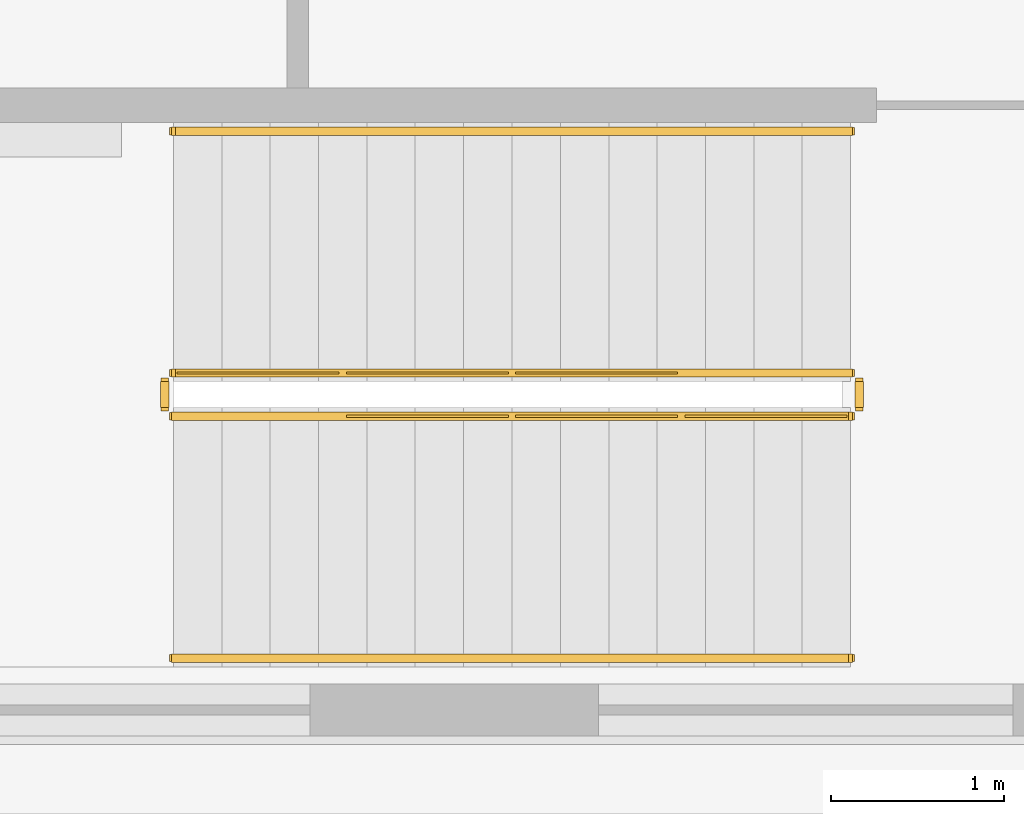
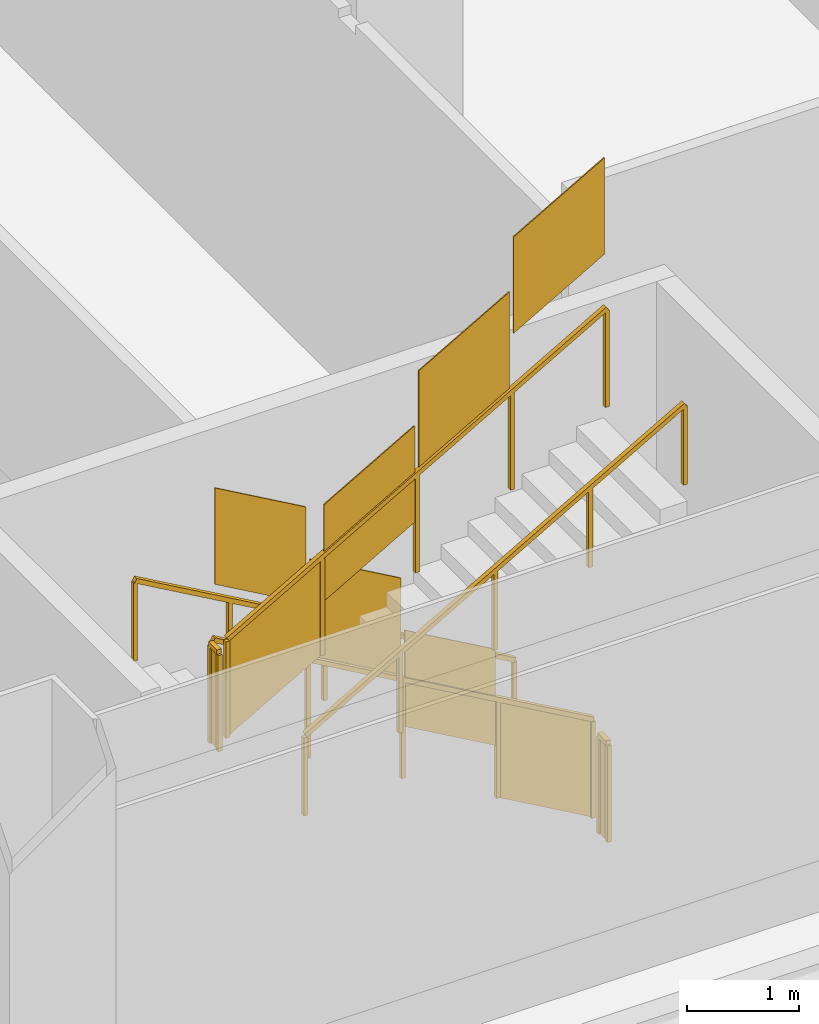
# One storey, part 20 of 25: 6 railings.
"""IFC4 building model written with IfcOpenShell, lengths in metres."""

from ifc_helpers import new_model, si_unit, direction, frame, origin, origin_2d, place, context, subcontext, project, spatial, polyline, rectangle, outline, extrude, material, type_object, element, save


model = new_model("IFC4")

# Units and contexts
model_context = context("Model", 3, precision=1e-05, world=origin(), true_north=direction((0.0, 1.0)))
body_context = subcontext(model_context, "Body", "Model", "MODEL_VIEW")
ifc_project = project(units=[si_unit("LENGTHUNIT", "METRE"), si_unit("AREAUNIT", "SQUARE_METRE"), si_unit("VOLUMEUNIT", "CUBIC_METRE"), si_unit("PLANEANGLEUNIT", "RADIAN"), si_unit("MASSUNIT", "GRAM", prefix="KILO")], contexts=[model_context])

# Site, building, storey
site_placement = place(None, origin())
site = spatial("IfcSite", under=ifc_project, at=site_placement, CompositionType="ELEMENT")
building_placement = place(site_placement, origin())
building = spatial("IfcBuilding", under=site, at=building_placement, Name="Cairn Pilgrim Tower", CompositionType="ELEMENT")
storey_placement = place(building_placement, frame((0.0, 0.0, 30.60009765625)))
storey = spatial("IfcBuildingStorey", under=building, at=storey_placement, Name="L05", CompositionType="ELEMENT", Elevation=30.60009765625)

# Railings
ifc_material = material(Name="Painted steel", Category="steel")
railing_type_1 = type_object("IfcRailingType", Name="PODIUM STAIR GUARD 1100", PredefinedType="GUARDRAIL", material=ifc_material)
railing_1_placement = place(storey_placement, frame((-25.60009765625, -26.25, 0.159912109375)))
element("IfcRailing", 1, at=railing_1_placement, inside=storey, type_object=railing_type_1, Name="L05 ST-HS stair guard 1", PredefinedType="GUARDRAIL", context=body_context, shape_type="SweptSolid", body=[
    extrude(rectangle(XDim=0.048095703125, YDim=0.048095703125, at=origin_2d()), frame((0.0, 0.0, 1.076171875), z_axis=(-0.868239814368, 0.0, 0.496144761885), x_axis=(0.0, -1.0, 0.0)), (0.0, 0.0, 1.0), 4.514892578125),
    extrude(rectangle(XDim=0.0419921875, YDim=0.0419921875, at=origin_2d()), origin(), (0.0, 0.0, 1.0), 1.052001953125),
    extrude(rectangle(XDim=0.0419921875, YDim=0.0419921875, at=origin_2d()), frame((-0.97998046875, 0.0, 0.56005859375)), (0.0, 0.0, 1.0), 1.052001953125),
    extrude(rectangle(XDim=0.0419921875, YDim=0.0419921875, at=origin_2d()), frame((-1.9599609375, 0.0, 1.1201171875)), (0.0, 0.0, 1.0), 1.052001953125),
    extrude(rectangle(XDim=0.0419921875, YDim=0.0419921875, at=origin_2d()), frame((-2.93994140625, 0.0, 1.679931640625)), (0.0, 0.0, 1.0), 1.052001953125),
    extrude(rectangle(XDim=0.0419921875, YDim=0.0419921875, at=origin_2d()), frame((-3.919921875, 0.0, 2.239990234375)), (0.0, 0.0, 1.0), 1.052001953125),
    extrude(outline(polyline([(0.02099609375, 0.011962890625), (0.958984375, 0.548095703125), (0.958984375, 1.60009765625), (0.02099609375, 1.06396484375), (0.02099609375, 0.011962890625)])), frame((0.0, -0.005859375, 0.0), z_axis=(0.0, 1.0, 0.0), x_axis=(-1.0, 0.0, 0.0)), (0.0, 0.0, 1.0), 0.011962890625),
    extrude(outline(polyline([(0.02099609375, 0.572021484375), (0.958984375, 1.10791015625), (0.958984375, 2.159912109375), (0.02099609375, 1.6240234375), (0.02099609375, 0.572021484375)])), frame((-0.97998046875, -0.005859375, 0.56005859375), z_axis=(0.0, 1.0, 0.0), x_axis=(-1.0, 0.0, 0.0)), (0.0, 0.0, 1.0), 0.011962890625),
    extrude(outline(polyline([(0.02099609375, 1.132080078125), (0.958984375, 1.66796875), (0.958984375, 2.719970703125), (0.02099609375, 2.18408203125), (0.02099609375, 1.132080078125)])), frame((-1.9599609375, -0.005859375, 1.1201171875), z_axis=(0.0, 1.0, 0.0), x_axis=(-1.0, 0.0, 0.0)), (0.0, 0.0, 1.0), 0.011962890625),
    extrude(outline(polyline([(0.02099609375, 1.69189453125), (0.958984375, 2.22802734375), (0.958984375, 3.280029296875), (0.02099609375, 2.743896484375), (0.02099609375, 1.69189453125)])), frame((-2.93994140625, -0.005859375, 1.679931640625), z_axis=(0.0, 1.0, 0.0), x_axis=(-1.0, 0.0, 0.0)), (0.0, 0.0, 1.0), 0.011962890625),
])
railing_2_placement = place(storey_placement, frame((-29.570068359375, -26.300048828125, 2.39990234375)))
element("IfcRailing", 2, at=railing_2_placement, inside=storey, type_object=railing_type_1, Name="L05 ST-HS stair guard 2", PredefinedType="GUARDRAIL", context=body_context, shape_type="SweptSolid", body=[
    extrude(rectangle(XDim=0.048095703125, YDim=0.048095703125, at=origin_2d()), frame((0.0, 0.0, 1.076171875), z_axis=(0.0, -1.0, 0.0), x_axis=(1.0, 0.0, 0.0)), (0.0, 0.0, 1.0), 0.14990234375),
    extrude(rectangle(XDim=0.0419921875, YDim=0.0419921875, at=origin_2d()), origin(), (0.0, 0.0, 1.0), 1.052001953125),
    extrude(rectangle(XDim=0.0419921875, YDim=0.0419921875, at=origin_2d()), frame((0.0, -0.14990234375, 0.0)), (0.0, 0.0, 1.0), 1.052001953125),
    extrude(outline(polyline([(0.02099609375, 0.0), (0.12890625, 0.0), (0.12890625, 1.052001953125), (0.02099609375, 1.052001953125), (0.02099609375, 0.0)])), frame((0.005859375, 0.0, 0.0), z_axis=(-1.0, 0.0, 0.0), x_axis=(0.0, -1.0, 0.0)), (0.0, 0.0, 1.0), 0.011962890625),
])
railing_3_placement = place(storey_placement, frame((-29.52001953125, -26.5, 2.559814453125)))
element("IfcRailing", 3, at=railing_3_placement, inside=storey, type_object=railing_type_1, Name="L05 ST-HS stair guard 3", PredefinedType="GUARDRAIL", context=body_context, shape_type="SweptSolid", body=[
    extrude(rectangle(XDim=0.048095703125, YDim=0.048095703125, at=origin_2d()), frame((0.0, 0.0, 1.076171875), z_axis=(0.868239814368, 0.0, 0.496144761885), x_axis=(0.0, 1.0, 0.0)), (0.0, 0.0, 1.0), 4.514892578125),
    extrude(rectangle(XDim=0.0419921875, YDim=0.0419921875, at=origin_2d()), origin(), (0.0, 0.0, 1.0), 1.052001953125),
    extrude(rectangle(XDim=0.0419921875, YDim=0.0419921875, at=origin_2d()), frame((0.97998046875, 0.0, 0.56005859375)), (0.0, 0.0, 1.0), 1.052001953125),
    extrude(rectangle(XDim=0.0419921875, YDim=0.0419921875, at=origin_2d()), frame((1.9599609375, 0.0, 1.1201171875)), (0.0, 0.0, 1.0), 1.052001953125),
    extrude(rectangle(XDim=0.0419921875, YDim=0.0419921875, at=origin_2d()), frame((2.93994140625, 0.0, 1.679931640625)), (0.0, 0.0, 1.0), 1.052001953125),
    extrude(rectangle(XDim=0.0419921875, YDim=0.0419921875, at=origin_2d()), frame((3.919921875, 0.0, 2.239990234375)), (0.0, 0.0, 1.0), 1.052001953125),
    extrude(outline(polyline([(0.02099609375, 0.011962890625), (0.958984375, 0.548095703125), (0.958984375, 1.60009765625), (0.02099609375, 1.06396484375), (0.02099609375, 0.011962890625)])), frame((0.0, 0.005859375, 0.0), z_axis=(0.0, -1.0, 0.0), x_axis=(1.0, 0.0, 0.0)), (0.0, 0.0, 1.0), 0.011962890625),
    extrude(outline(polyline([(0.02099609375, 0.572021484375), (0.958984375, 1.10791015625), (0.958984375, 2.159912109375), (0.02099609375, 1.6240234375), (0.02099609375, 0.572021484375)])), frame((0.97998046875, 0.005859375, 0.56005859375), z_axis=(0.0, -1.0, 0.0), x_axis=(1.0, 0.0, 0.0)), (0.0, 0.0, 1.0), 0.011962890625),
    extrude(outline(polyline([(0.02099609375, 1.132080078125), (0.958984375, 1.66796875), (0.958984375, 2.719970703125), (0.02099609375, 2.18408203125), (0.02099609375, 1.132080078125)])), frame((1.9599609375, 0.005859375, 1.1201171875), z_axis=(0.0, -1.0, 0.0), x_axis=(1.0, 0.0, 0.0)), (0.0, 0.0, 1.0), 0.011962890625),
    extrude(outline(polyline([(0.02099609375, 1.69189453125), (0.958984375, 2.22802734375), (0.958984375, 3.280029296875), (0.02099609375, 2.743896484375), (0.02099609375, 1.69189453125)])), frame((2.93994140625, 0.005859375, 1.679931640625), z_axis=(0.0, -1.0, 0.0), x_axis=(1.0, 0.0, 0.0)), (0.0, 0.0, 1.0), 0.011962890625),
])
railing_4_placement = place(storey_placement, frame((-25.550048828125, -26.300048828125, 0.0)))
element("IfcRailing", 4, at=railing_4_placement, inside=storey, type_object=railing_type_1, Name="L05 ST-HS stair guard 4", PredefinedType="GUARDRAIL", context=body_context, shape_type="SweptSolid", body=[
    extrude(rectangle(XDim=0.048095703125, YDim=0.048095703125, at=origin_2d()), frame((0.0, 0.0, 1.076171875), z_axis=(0.0, -1.0, 0.0), x_axis=(1.0, 0.0, 0.0)), (0.0, 0.0, 1.0), 0.14990234375),
    extrude(rectangle(XDim=0.0419921875, YDim=0.0419921875, at=origin_2d()), origin(), (0.0, 0.0, 1.0), 1.052001953125),
    extrude(rectangle(XDim=0.0419921875, YDim=0.0419921875, at=origin_2d()), frame((0.0, -0.14990234375, 0.0)), (0.0, 0.0, 1.0), 1.052001953125),
    extrude(outline(polyline([(0.02099609375, 0.0), (0.12890625, 0.0), (0.12890625, 1.052001953125), (0.02099609375, 1.052001953125), (0.02099609375, 0.0)])), frame((0.005859375, 0.0, 0.0), z_axis=(-1.0, 0.0, 0.0), x_axis=(0.0, -1.0, 0.0)), (0.0, 0.0, 1.0), 0.011962890625),
])
railing_type_2 = type_object("IfcRailingType", Name="PODIUM STAIR HANDRAIL 900", PredefinedType="HANDRAIL", material=ifc_material)
railing_5_placement = place(storey_placement, frame((-25.60009765625, -24.85009765625, 0.159912109375)))
element("IfcRailing", 5, at=railing_5_placement, inside=storey, type_object=railing_type_2, Name="L05 ST-HS stair handrail 1", PredefinedType="HANDRAIL", context=body_context, shape_type="SweptSolid", body=[
    extrude(rectangle(XDim=0.048095703125, YDim=0.048095703125, at=origin_2d()), frame((0.0, 0.0, 0.8759765625), z_axis=(-0.868239814368, 0.0, 0.496144761885), x_axis=(0.0, -1.0, 0.0)), (0.0, 0.0, 1.0), 4.514892578125),
    extrude(rectangle(XDim=0.0419921875, YDim=0.0419921875, at=origin_2d()), origin(), (0.0, 0.0, 1.0), 0.851806640625),
    extrude(rectangle(XDim=0.0419921875, YDim=0.0419921875, at=origin_2d()), frame((-0.97998046875, 0.0, 0.56005859375)), (0.0, 0.0, 1.0), 0.851806640625),
    extrude(rectangle(XDim=0.0419921875, YDim=0.0419921875, at=origin_2d()), frame((-1.9599609375, 0.0, 1.1201171875)), (0.0, 0.0, 1.0), 0.851806640625),
    extrude(rectangle(XDim=0.0419921875, YDim=0.0419921875, at=origin_2d()), frame((-2.93994140625, 0.0, 1.679931640625)), (0.0, 0.0, 1.0), 0.851806640625),
    extrude(rectangle(XDim=0.0419921875, YDim=0.0419921875, at=origin_2d()), frame((-3.919921875, 0.0, 2.239990234375)), (0.0, 0.0, 1.0), 0.851806640625),
])
railing_6_placement = place(storey_placement, frame((-29.52001953125, -27.89990234375, 2.559814453125)))
element("IfcRailing", 6, at=railing_6_placement, inside=storey, type_object=railing_type_2, Name="L05 ST-HS stair handrail 2", PredefinedType="HANDRAIL", context=body_context, shape_type="SweptSolid", body=[
    extrude(rectangle(XDim=0.048095703125, YDim=0.048095703125, at=origin_2d()), frame((0.0, 0.0, 0.8759765625), z_axis=(0.868239814368, 0.0, 0.496144761885), x_axis=(0.0, 1.0, 0.0)), (0.0, 0.0, 1.0), 4.514892578125),
    extrude(rectangle(XDim=0.0419921875, YDim=0.0419921875, at=origin_2d()), origin(), (0.0, 0.0, 1.0), 0.851806640625),
    extrude(rectangle(XDim=0.0419921875, YDim=0.0419921875, at=origin_2d()), frame((0.97998046875, 0.0, 0.56005859375)), (0.0, 0.0, 1.0), 0.851806640625),
    extrude(rectangle(XDim=0.0419921875, YDim=0.0419921875, at=origin_2d()), frame((1.9599609375, 0.0, 1.1201171875)), (0.0, 0.0, 1.0), 0.851806640625),
    extrude(rectangle(XDim=0.0419921875, YDim=0.0419921875, at=origin_2d()), frame((2.93994140625, 0.0, 1.679931640625)), (0.0, 0.0, 1.0), 0.851806640625),
    extrude(rectangle(XDim=0.0419921875, YDim=0.0419921875, at=origin_2d()), frame((3.919921875, 0.0, 2.239990234375)), (0.0, 0.0, 1.0), 0.851806640625),
])

save(model, "model.ifc")
